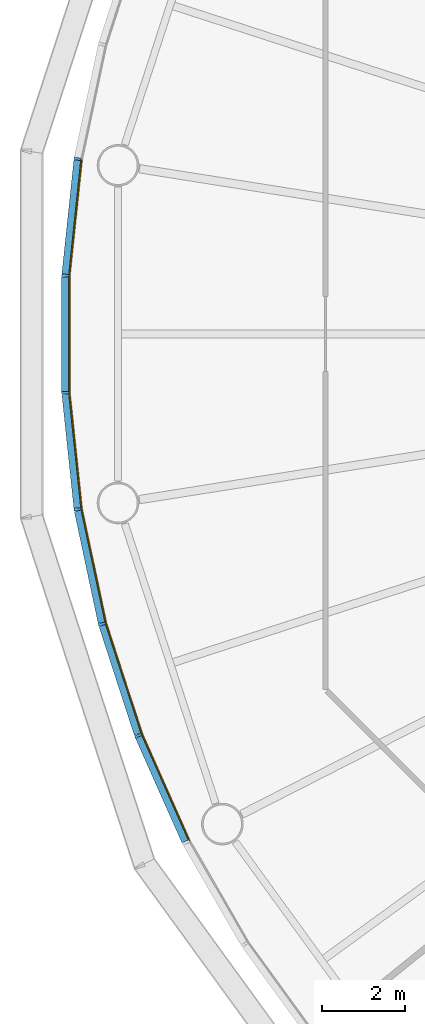
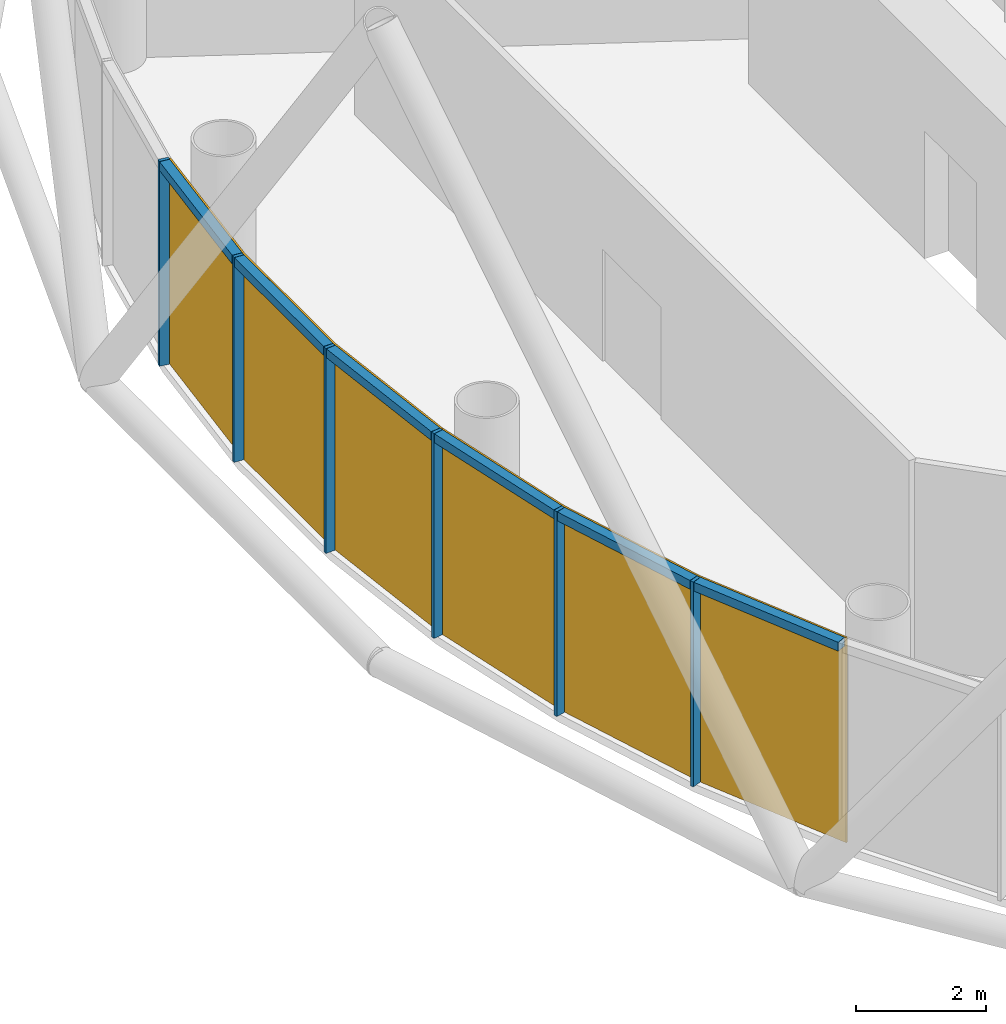
# One storey, part 7 of 12: 12 members, 2 curtain walls.
"""IFC4 building model written with IfcOpenShell, lengths in metres."""

from ifc_helpers import new_model, si_unit, direction, frame, origin, origin_2d, place, context, subcontext, project, spatial, polyline, rectangle, outline, extrude, material, layer, layer_set, material_profile, profile_set, type_object, element, aggregate, save


model = new_model("IFC4")

# Units and contexts
model_context = context("Model", 3, precision=1e-05, world=origin(), true_north=direction((0.0, 1.0)))
body_context = subcontext(model_context, "Body", "Model", "MODEL_VIEW")
ifc_project = project(units=[si_unit("LENGTHUNIT", "METRE"), si_unit("AREAUNIT", "SQUARE_METRE"), si_unit("VOLUMEUNIT", "CUBIC_METRE"), si_unit("PLANEANGLEUNIT", "RADIAN"), si_unit("MASSUNIT", "GRAM", prefix="KILO")], contexts=[model_context])

# Member
ifc_material_1 = material(Name="Anodised aluminium", Category="aluminium")
ifc_material_profile_1 = material_profile(ifc_material_1, rectangle(XDim=0.06005859375, YDim=0.169921875, at=origin_2d()), Name="Mullion 60 x 170 mm anodised aluminium")
ifc_profile_set_1 = profile_set([ifc_material_profile_1], Name="Anodised aluminium")
member_type_1 = type_object("IfcMemberType", Name="Mullion 60 x 170 mm anodised aluminium", PredefinedType="MULLION", material=ifc_profile_set_1)
site_placement = place(None, origin())
building_placement = place(site_placement, origin())
storey_placement = place(building_placement, frame((0.0, 0.0, 238.0)))
member_1_placement = place(storey_placement, frame((63.446044921875, 84.205810546875, 0.0), z_axis=(0.0, 0.0, 1.0), x_axis=(-0.15643446504, -0.987688340595, 0.0)))
member_1 = element("IfcMember", 1, at=member_1_placement, type_object=member_type_1, Name="MULLION L54-27", PredefinedType="MULLION", context=body_context, shape_type="SweptSolid", body=[
    extrude(rectangle(XDim=0.06005859375, YDim=0.169921875, at=origin_2d()), origin(), (0.0, 0.0, 1.0), 3.85009765625),
])

member_2_placement = place(storey_placement, frame((63.15185546875, 81.406982421875, 0.0), z_axis=(0.0, 0.0, 1.0), x_axis=(-0.052335956243, -0.998629534755, 0.0)))
member_2 = element("IfcMember", 2, at=member_2_placement, type_object=member_type_1, Name="MULLION L54-28", PredefinedType="MULLION", context=body_context, shape_type="SweptSolid", body=[
    extrude(rectangle(XDim=0.06005859375, YDim=0.169921875, at=origin_2d()), origin(), (0.0, 0.0, 1.0), 3.85009765625),
])

member_3_placement = place(storey_placement, frame((63.15185546875, 78.593017578125, 0.0), z_axis=(0.0, 0.0, 1.0), x_axis=(0.052335956243, -0.998629534755, 0.0)))
member_3 = element("IfcMember", 3, at=member_3_placement, type_object=member_type_1, Name="MULLION L54-29", PredefinedType="MULLION", context=body_context, shape_type="SweptSolid", body=[
    extrude(rectangle(XDim=0.06005859375, YDim=0.169921875, at=origin_2d()), origin(), (0.0, 0.0, 1.0), 3.85009765625),
])

member_4_placement = place(storey_placement, frame((63.446044921875, 75.794189453125, 0.0), z_axis=(0.0, 0.0, 1.0), x_axis=(0.15643446504, -0.987688340595, 0.0)))
member_4 = element("IfcMember", 4, at=member_4_placement, type_object=member_type_1, Name="MULLION L54-30", PredefinedType="MULLION", context=body_context, shape_type="SweptSolid", body=[
    extrude(rectangle(XDim=0.06005859375, YDim=0.169921875, at=origin_2d()), origin(), (0.0, 0.0, 1.0), 3.85009765625),
])

member_5_placement = place(storey_placement, frame((64.031005859375, 73.041748046875, 0.0), z_axis=(0.0, 0.0, 1.0), x_axis=(0.258819045103, -0.965925826289, 0.0)))
member_5 = element("IfcMember", 5, at=member_5_placement, type_object=member_type_1, Name="MULLION L54-31", PredefinedType="MULLION", context=body_context, shape_type="SweptSolid", body=[
    extrude(rectangle(XDim=0.06005859375, YDim=0.169921875, at=origin_2d()), origin(), (0.0, 0.0, 1.0), 3.85009765625),
])

member_6_placement = place(storey_placement, frame((64.900634765625, 70.365234375, 0.0), z_axis=(0.0, 0.0, 1.0), x_axis=(0.358367949545, -0.933580426497, 0.0)))
member_6 = element("IfcMember", 6, at=member_6_placement, type_object=member_type_1, Name="MULLION L54-32", PredefinedType="MULLION", context=body_context, shape_type="SweptSolid", body=[
    extrude(rectangle(XDim=0.06005859375, YDim=0.169921875, at=origin_2d()), origin(), (0.0, 0.0, 1.0), 3.85009765625),
])

ifc_material_2 = material(Name="Anodised aluminium", Category="aluminium")
ifc_material_profile_2 = material_profile(ifc_material_2, rectangle(XDim=0.169921875, YDim=0.1650390625, at=origin_2d()), Name="Transom 165 x 170 mm anodised aluminium")
ifc_profile_set_2 = profile_set([ifc_material_profile_2], Name="Anodised aluminium")
member_type_2 = type_object("IfcMemberType", Name="Transom 165 x 170 mm anodised aluminium", PredefinedType="USERDEFINED", material=ifc_profile_set_2)
member_7_placement = place(storey_placement, frame((63.4423828125, 84.17138671875, 3.767578125), z_axis=(-0.104592190102, -0.994515195344, 0.0), x_axis=(0.994515195344, -0.104592190102, 0.0)))
member_7 = element("IfcMember", 7, at=member_7_placement, type_object=member_type_2, Name="TRANSOM L54-27", ObjectType="TRANSOM", PredefinedType="USERDEFINED", context=body_context, shape_type="SweptSolid", body=[
    extrude(rectangle(XDim=0.169921875, YDim=0.1650390625, at=origin_2d()), origin(), (0.0, 0.0, 1.0), 2.7451171875),
])

member_8_placement = place(storey_placement, frame((63.151611328125, 81.37255859375, 3.767578125), z_axis=(0.0, -1.0, 0.0), x_axis=(1.0, 0.0, 0.0)))
member_8 = element("IfcMember", 8, at=member_8_placement, type_object=member_type_2, Name="TRANSOM L54-28", ObjectType="TRANSOM", PredefinedType="USERDEFINED", context=body_context, shape_type="SweptSolid", body=[
    extrude(rectangle(XDim=0.169921875, YDim=0.1650390625, at=origin_2d()), origin(), (0.0, 0.0, 1.0), 2.7451171875),
])

member_9_placement = place(storey_placement, frame((63.1552734375, 78.55859375, 3.767578125), z_axis=(0.104592190102, -0.994515195344, 0.0), x_axis=(0.994515195344, 0.104592190102, 0.0)))
member_9 = element("IfcMember", 9, at=member_9_placement, type_object=member_type_2, Name="TRANSOM L54-29", ObjectType="TRANSOM", PredefinedType="USERDEFINED", context=body_context, shape_type="SweptSolid", body=[
    extrude(rectangle(XDim=0.169921875, YDim=0.1650390625, at=origin_2d()), origin(), (0.0, 0.0, 1.0), 2.7451171875),
])

member_10_placement = place(storey_placement, frame((63.453125, 75.760498046875, 3.767578125), z_axis=(0.207937468562, -0.97814212115, 0.0), x_axis=(0.97814212115, 0.207937468562, 0.0)))
member_10 = element("IfcMember", 10, at=member_10_placement, type_object=member_type_2, Name="TRANSOM L54-30", ObjectType="TRANSOM", PredefinedType="USERDEFINED", context=body_context, shape_type="SweptSolid", body=[
    extrude(rectangle(XDim=0.169921875, YDim=0.1650390625, at=origin_2d()), origin(), (0.0, 0.0, 1.0), 2.7451171875),
])

member_11_placement = place(storey_placement, frame((64.04150390625, 73.0087890625, 3.767578125), z_axis=(0.309041831781, -0.951048445774, 0.0), x_axis=(0.951048445774, 0.309041831781, 0.0)))
member_11 = element("IfcMember", 11, at=member_11_placement, type_object=member_type_2, Name="TRANSOM L54-31", ObjectType="TRANSOM", PredefinedType="USERDEFINED", context=body_context, shape_type="SweptSolid", body=[
    extrude(rectangle(XDim=0.169921875, YDim=0.1650390625, at=origin_2d()), origin(), (0.0, 0.0, 1.0), 2.7451171875),
])

member_12_placement = place(storey_placement, frame((64.91455078125, 70.333740234375, 3.767578125), z_axis=(0.406781987391, -0.913525267704, 0.0), x_axis=(0.913525267704, 0.406781987391, 0.0)))
member_12 = element("IfcMember", 12, at=member_12_placement, type_object=member_type_2, Name="TRANSOM L54-32", ObjectType="TRANSOM", PredefinedType="USERDEFINED", context=body_context, shape_type="SweptSolid", body=[
    extrude(rectangle(XDim=0.169921875, YDim=0.1650390625, at=origin_2d()), origin(), (0.0, 0.0, 1.0), 2.7451171875),
])

# Site, building, storey
site = spatial("IfcSite", under=ifc_project, at=site_placement, CompositionType="ELEMENT")
building = spatial("IfcBuilding", under=site, at=building_placement, Name="Entoto Ring Tower", CompositionType="ELEMENT")
storey = spatial("IfcBuildingStorey", under=building, at=storey_placement, Name="L54", CompositionType="ELEMENT", Elevation=238.0)

# Curtain wall
ifc_material_3 = material(Name="Clear low-iron glass", Category="glass")
ifc_layer = layer(ifc_material_3, 0.031982421875)
ifc_layer_set = layer_set([ifc_layer], Name="Clear low-iron glass")
curtain_wall_type = type_object("IfcCurtainWallType", Name="Curtain wall system CW4 glazing 32 mm", PredefinedType="NOTDEFINED", material=ifc_layer_set)
curtain_wall_1_placement = place(storey_placement, origin())
curtain_wall_1 = element("IfcCurtainWall", 13, at=curtain_wall_1_placement, inside=storey, type_object=curtain_wall_type, Name="CW4 L54-10", PredefinedType="NOTDEFINED", context=body_context, shape_type="SweptSolid", body=[
    extrude(outline(polyline([(63.530029296875, 84.1923828125), (63.23681640625, 81.402587890625), (63.23681640625, 78.597412109375), (63.530029296875, 75.8076171875), (63.5615234375, 75.8125), (63.268798828125, 78.59912109375), (63.268798828125, 81.40087890625), (63.5615234375, 84.1875), (63.530029296875, 84.1923828125)])), origin(), (0.0, 0.0, 1.0), 3.85009765625),
])

aggregate(curtain_wall_1, [member_1, member_2, member_3, member_7, member_8, member_9])

curtain_wall_2_placement = place(storey_placement, origin())
curtain_wall_2 = element("IfcCurtainWall", 14, at=curtain_wall_2_placement, inside=storey, type_object=curtain_wall_type, Name="CW4 L54-11", PredefinedType="NOTDEFINED", context=body_context, shape_type="SweptSolid", body=[
    extrude(outline(polyline([(63.530029296875, 75.8076171875), (64.11328125, 73.063720703125), (64.97998046875, 70.395751953125), (66.12109375, 67.8330078125), (66.149658203125, 67.84765625), (65.010009765625, 70.4072265625), (64.14404296875, 73.072021484375), (63.5615234375, 75.8125), (63.530029296875, 75.8076171875)])), origin(), (0.0, 0.0, 1.0), 3.85009765625),
])

aggregate(curtain_wall_2, [member_4, member_5, member_6, member_10, member_11, member_12])

save(model, "model.ifc")
